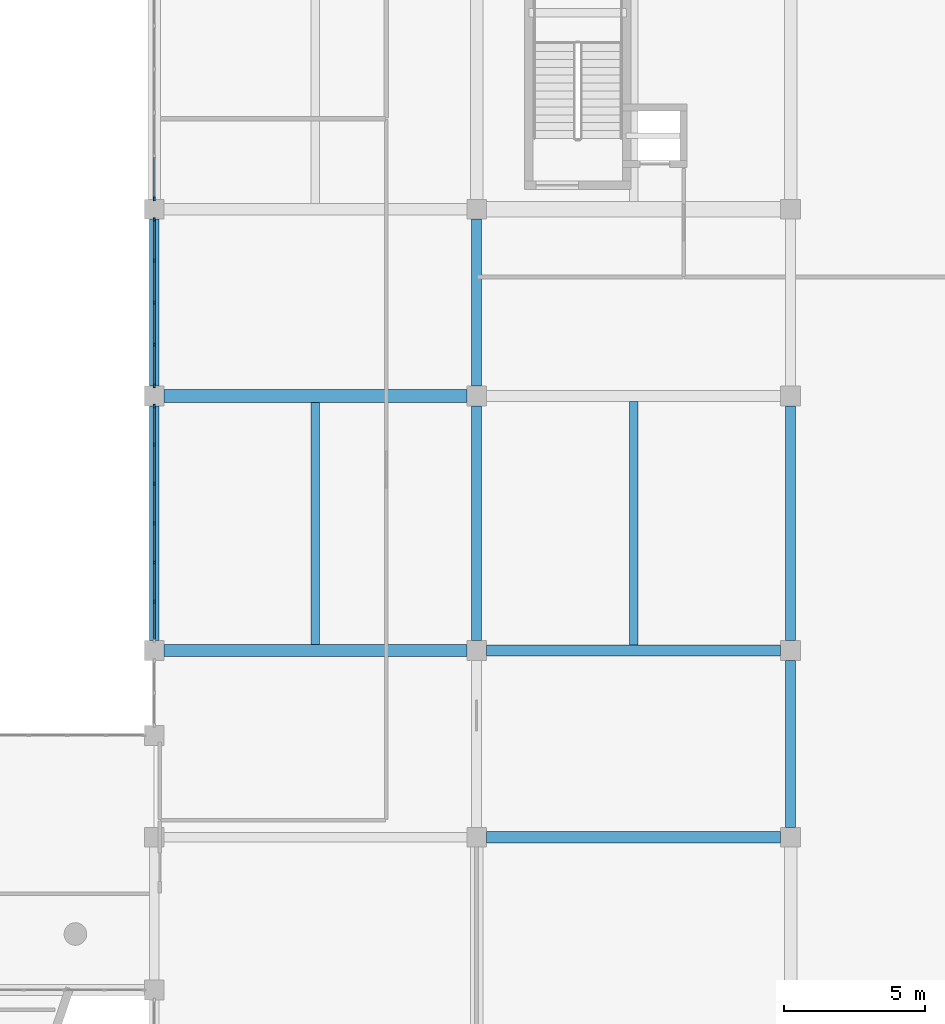
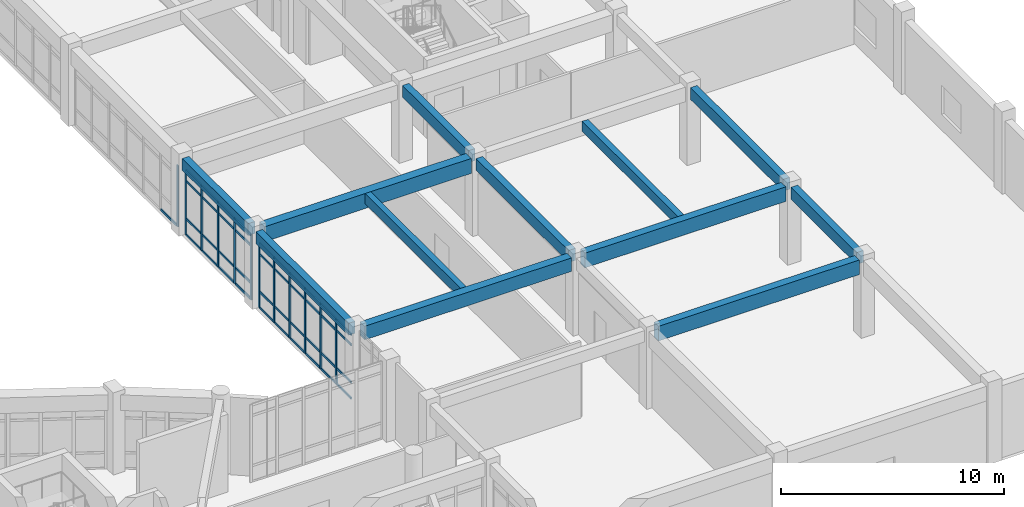
# One storey, part 24 of 57: 53 members, 12 beams, 3 elements without a shape of their own.
"""IFC4 building model written with IfcOpenShell, lengths in metres."""

import ifcopenshell
import ifcopenshell.guid

model = None  # the IFC model being written
_history = None  # IfcOwnerHistory: only IFC2X3 demands one
_inside = {}  # id of a spatial element -> (the spatial element, [elements in it])
_under = {}  # id of a project, library or spatial element -> (it, [spatial elements below it])
_declared = {}  # id of a project -> (the project, [libraries it declares])
_typed = {}  # id of a type object -> (the type object, [elements of that type])
_made_of = {}  # id of a material, layer set ... -> (it, [elements and type objects made of it])


def new_model(schema):
    """Start an empty IFC model of exactly this schema.

    Asked for "IFC4X3", IfcOpenShell would pick the latest addendum, in which some entities
    have other attributes; the version numbers below select the first issue.
    IFC2X3 requires an IfcOwnerHistory on every rooted entity: one is made here for all.
    """
    global model, _history
    if schema == "IFC4X3":
        model = ifcopenshell.file(schema_version=(4, 3, 0, 0))
    else:
        model = ifcopenshell.file(schema=schema)
    _inside.clear()
    _under.clear()
    _declared.clear()
    _typed.clear()
    _made_of.clear()
    _history = None
    if model.schema == "IFC2X3":
        org = make("IfcOrganization", Name="unknown")
        user = make(
            "IfcPersonAndOrganization",
            ThePerson=make("IfcPerson", FamilyName="unknown"),
            TheOrganization=org,
        )
        app = make(
            "IfcApplication",
            ApplicationDeveloper=org,
            Version="unknown",
            ApplicationFullName="unknown",
            ApplicationIdentifier="unknown",
        )
        _history = make(
            "IfcOwnerHistory",
            OwningUser=user,
            OwningApplication=app,
            ChangeAction="ADDED",
            CreationDate=0,
        )
    return model


def make(cls, **values):
    """One entity of the class cls with the attributes given. An attribute that is None is left unset."""
    return model.create_entity(
        cls, **{name: value for name, value in values.items() if value is not None}
    )


def rooted(cls, **values):
    """An entity with a GlobalId (a new one), such as an element, a storey or a relation."""
    return make(cls, GlobalId=ifcopenshell.guid.new(), OwnerHistory=_history, **values)


def si_unit(unit_type, name, prefix=None):
    """IfcSIUnit, for example si_unit("LENGTHUNIT", "METRE", prefix="MILLI")."""
    return make("IfcSIUnit", UnitType=unit_type, Prefix=prefix, Name=name)


def assignment(units):
    """IfcUnitAssignment: the units of a project."""
    return None if units is None else make("IfcUnitAssignment", Units=units)


def point(xyz):
    """IfcCartesianPoint."""
    return None if xyz is None else make("IfcCartesianPoint", Coordinates=xyz)


def direction(xyz):
    """IfcDirection."""
    return None if xyz is None else make("IfcDirection", DirectionRatios=xyz)


def frame(location, z_axis=None, x_axis=None):
    """IfcAxis2Placement3D, a coordinate frame: its origin and axes. An axis left out is left unset."""
    return make(
        "IfcAxis2Placement3D",
        Location=point(location),
        Axis=direction(z_axis),
        RefDirection=direction(x_axis),
    )


def frame_2d(location, x_axis=None):
    """IfcAxis2Placement2D, a coordinate frame in the plane: its origin and x axis."""
    return make(
        "IfcAxis2Placement2D", Location=point(location), RefDirection=direction(x_axis)
    )


def origin():
    """The frame at (0, 0, 0) with its axes left unset."""
    return frame((0.0, 0.0, 0.0))


def origin_2d():
    """The frame at (0, 0) in the plane with its x axis left unset."""
    return frame_2d((0.0, 0.0))


def place(relative_to, where):
    """IfcLocalPlacement: puts the frame where relative to a parent placement (None: the world)."""
    return make(
        "IfcLocalPlacement", PlacementRelTo=relative_to, RelativePlacement=where
    )


def context(
    kind, dimensions, precision=None, world=None, true_north=None, identifier=None
):
    """IfcGeometricRepresentationContext, for example the 3D "Model" context."""
    return make(
        "IfcGeometricRepresentationContext",
        ContextIdentifier=identifier,
        ContextType=kind,
        CoordinateSpaceDimension=dimensions,
        Precision=precision,
        WorldCoordinateSystem=world,
        TrueNorth=true_north,
    )


def subcontext(parent, identifier, kind, view, scale=None):
    """IfcGeometricRepresentationSubContext, for example "Body" below "Model"."""
    return make(
        "IfcGeometricRepresentationSubContext",
        ContextIdentifier=identifier,
        ContextType=kind,
        ParentContext=parent,
        TargetScale=scale,
        TargetView=view,
    )


def project(units=None, contexts=None):
    """IfcProject with its units and contexts."""
    return rooted(
        "IfcProject",
        Name="project",
        RepresentationContexts=contexts,
        UnitsInContext=assignment(units),
    )


def spatial(cls, under=None, at=None, **own):
    """A site, building, storey or space (cls), placed at a placement, below another one or the project."""
    s = rooted(cls, ObjectPlacement=at, **own)
    if under is not None:
        _under.setdefault(under.id(), (under, []))[1].append(s)
    return s


def profile(cls, at=None, kind="AREA", **sizes):
    """A parametric profile (cls). Its sizes go by their IFC names, for example OverallWidth=200.0."""
    return make(cls, ProfileType=kind, Position=at, **sizes)


def rectangle(**sizes):
    """IfcRectangleProfileDef."""
    return profile("IfcRectangleProfileDef", **sizes)


def extrude(swept, where, along, depth):
    """IfcExtrudedAreaSolid: the profile swept, set in the frame where, extruded along a direction by depth."""
    return make(
        "IfcExtrudedAreaSolid",
        SweptArea=swept,
        Position=where,
        ExtrudedDirection=direction(along),
        Depth=depth,
    )


def shape(context_of_items, identifier, shape_type, items):
    """IfcShapeRepresentation: the items that make up one representation, for example the "Body"."""
    return make(
        "IfcShapeRepresentation",
        ContextOfItems=context_of_items,
        RepresentationIdentifier=identifier,
        RepresentationType=shape_type,
        Items=items,
    )


def material(Name=None, Category=None):
    """IfcMaterial."""
    return make("IfcMaterial", Name=Name, Category=Category)


def layer(
    of_material, thickness, ventilated=None, Name=None, Category=None, Priority=None
):
    """IfcMaterialLayer: one layer of a wall or slab, of a material (None: an air gap)."""
    return make(
        "IfcMaterialLayer",
        Material=of_material,
        LayerThickness=thickness,
        IsVentilated=ventilated,
        Name=Name,
        Category=Category,
        Priority=Priority,
    )


def layer_set(layers, Name=None):
    """IfcMaterialLayerSet."""
    return make("IfcMaterialLayerSet", MaterialLayers=layers, LayerSetName=Name)


def material_profile(
    of_material, cross_section, Name=None, Category=None, Priority=None
):
    """IfcMaterialProfile: a cross section and its material."""
    return make(
        "IfcMaterialProfile",
        Name=Name,
        Material=of_material,
        Profile=cross_section,
        Priority=Priority,
        Category=Category,
    )


def profile_set(profiles, Name=None, composite=None):
    """IfcMaterialProfileSet."""
    return make(
        "IfcMaterialProfileSet",
        Name=Name,
        MaterialProfiles=profiles,
        CompositeProfile=composite,
    )


def made_of(thing, what):
    """Note that an element or type object is made of a material, layer set ...; save() writes the relation."""
    if what is not None:
        _made_of.setdefault(what.id(), (what, []))[1].append(thing)
    return thing


def type_object(cls, material=None, **own):
    """A type object (cls), such as IfcWallType, which elements share."""
    return made_of(rooted(cls, **own), material)


def element(
    cls,
    number,
    at=None,
    inside=None,
    cuts=None,
    type_object=None,
    material=None,
    context=None,
    identifier="Body",
    shape_type=None,
    held_by="IfcProductDefinitionShape",
    body=None,
    shapes=None,
    **own,
):
    """One element of the class cls, such as IfcWall. Its Tag is "e" and its number.

    at: its placement. inside: the storey or other place that contains it. cuts: it is an
    opening in that element (IfcRelVoidsElement). A single representation is given by context,
    identifier, shape_type and body (its items); several are given by shapes. held_by: the class
    of the entity that holds the representations. save() writes the other relations.
    """
    e = rooted(cls, Tag="e%d" % number, ObjectPlacement=at, **own)
    if body is not None:
        shapes = [shape(context, identifier, shape_type, body)]
    if shapes is not None:
        e.Representation = make(held_by, Representations=shapes)
    if inside is not None:
        _inside.setdefault(inside.id(), (inside, []))[1].append(e)
    if cuts is not None:
        rooted(
            "IfcRelVoidsElement", RelatingBuildingElement=cuts, RelatedOpeningElement=e
        )
    if type_object is not None:
        _typed.setdefault(type_object.id(), (type_object, []))[1].append(e)
    return made_of(e, material)


def aggregate(whole, parts):
    """IfcRelAggregates: a whole, such as a stair, and the parts it consists of."""
    return rooted("IfcRelAggregates", RelatingObject=whole, RelatedObjects=parts)


def save(model, path):
    """Write the relations noted so far, then the file.

    IfcRelAggregates (storeys below a building ...), IfcRelContainedInSpatialStructure (elements
    in a storey), IfcRelDefinesByType, IfcRelAssociatesMaterial and IfcRelDeclares: one each for
    every whole, place, type object, material and project.
    """
    for whole, parts in _under.values():
        aggregate(whole, parts)
    for where, things in _inside.values():
        rooted(
            "IfcRelContainedInSpatialStructure",
            RelatedElements=things,
            RelatingStructure=where,
        )
    for kind, things in _typed.values():
        rooted("IfcRelDefinesByType", RelatedObjects=things, RelatingType=kind)
    for what, things in _made_of.values():
        rooted("IfcRelAssociatesMaterial", RelatedObjects=things, RelatingMaterial=what)
    for by, libraries in _declared.values():
        rooted("IfcRelDeclares", RelatingContext=by, RelatedDefinitions=libraries)
    model.write(path)


model = new_model("IFC4")

# Units and contexts
model_context = context("Model", 3, precision=1e-05, world=origin(), true_north=direction((0.0, 1.0)))
body_context = subcontext(model_context, "Body", "Model", "MODEL_VIEW")
ifc_project = project(units=[si_unit("LENGTHUNIT", "METRE"), si_unit("AREAUNIT", "SQUARE_METRE"), si_unit("VOLUMEUNIT", "CUBIC_METRE"), si_unit("PLANEANGLEUNIT", "RADIAN"), si_unit("MASSUNIT", "GRAM", prefix="KILO")], contexts=[model_context])

# Site, building, storey
site_placement = place(None, origin())
site = spatial("IfcSite", under=ifc_project, at=site_placement, CompositionType="ELEMENT")
building_placement = place(site_placement, origin())
building = spatial("IfcBuilding", under=site, at=building_placement, Name="Miralva Faculty of Natural Sciences", CompositionType="ELEMENT")
storey_placement = place(building_placement, frame((0.0, 0.0, 15.0)))
storey = spatial("IfcBuildingStorey", under=building, at=storey_placement, Name="L03", CompositionType="ELEMENT", Elevation=15.0)

# Beams
ifc_material_1 = material(Name="Concrete C40/50", Category="concrete")
ifc_material_profile_1 = material_profile(ifc_material_1, rectangle(XDim=0.39990234375, YDim=0.800048828125, at=origin_2d()), Name="RC 400x800")
ifc_profile_set_1 = profile_set([ifc_material_profile_1], Name="Concrete C40/50")
beam_type_1 = type_object("IfcBeamType", Name="BM-B02", PredefinedType="BEAM", material=ifc_profile_set_1)
for number, where, z_axis, x_axis, name in (
    (1, (145.550048828125, 23.39990234375, 3.81005859375), (1.0, 0.0, 0.0), (0.0, 1.0, 0.0), "Girder EW L03-22"),
    (2, (145.550048828125, 30.0, 3.81005859375), (1.0, 0.0, 0.0), (0.0, 1.0, 0.0), "Girder EW L03-30"),
):
    element("IfcBeam", number, at=place(storey_placement, frame(where, z_axis=z_axis, x_axis=x_axis)), inside=storey, type_object=beam_type_1, Name=name, PredefinedType="BEAM", context=body_context, shape_type="SweptSolid", body=[
        extrude(rectangle(XDim=0.39990234375, YDim=0.800048828125, at=origin_2d()), origin(), (0.0, 0.0, 1.0), 10.39990234375),
    ])
ifc_material_profile_2 = material_profile(ifc_material_1, rectangle(XDim=0.35009765625, YDim=0.64990234375, at=origin_2d()), Name="RC 350x650")
ifc_profile_set_2 = profile_set([ifc_material_profile_2], Name="Concrete C40/50")
beam_type_2 = type_object("IfcBeamType", Name="BM-B05", PredefinedType="BEAM", material=ifc_profile_set_2)
beam_1_placement = place(storey_placement, frame((133.800048828125, 30.35009765625, 3.885009765625), z_axis=(0.0, 1.0, 0.0), x_axis=(-1.0, 0.0, 0.0)))
element("IfcBeam", 3, at=beam_1_placement, inside=storey, type_object=beam_type_2, Name="Girder NS L03-114", PredefinedType="BEAM", context=body_context, shape_type="SweptSolid", body=[
    extrude(rectangle(XDim=0.35009765625, YDim=0.64990234375, at=origin_2d()), origin(), (0.0, 0.0, 1.0), 8.2998046875),
])
beam_2_placement = place(storey_placement, frame((133.800048828125, 39.35009765625, 3.885009765625), z_axis=(0.0, 1.0, 0.0), x_axis=(-1.0, 0.0, 0.0)))
element("IfcBeam", 4, at=beam_2_placement, inside=storey, type_object=beam_type_2, Name="Girder NS L03-115", PredefinedType="BEAM", context=body_context, shape_type="SweptSolid", body=[
    extrude(rectangle(XDim=0.35009765625, YDim=0.64990234375, at=origin_2d()), origin(), (0.0, 0.0, 1.0), 5.89990234375),
])
beam_3_placement = place(storey_placement, frame((145.199951171875, 30.35009765625, 3.885009765625), z_axis=(0.0, 1.0, 0.0), x_axis=(-1.0, 0.0, 0.0)))
element("IfcBeam", 5, at=beam_3_placement, inside=storey, type_object=beam_type_2, Name="Girder NS L03-121", PredefinedType="BEAM", context=body_context, shape_type="SweptSolid", body=[
    extrude(rectangle(XDim=0.35009765625, YDim=0.64990234375, at=origin_2d()), origin(), (0.0, 0.0, 1.0), 8.2998046875),
])
for number, where, z_axis, x_axis, name in (
    (6, (145.199951171875, 39.35009765625, 3.885009765625), (0.0, 1.0, 0.0), (-1.0, 0.0, 0.0), "Girder NS L03-122"),
    (7, (156.300048828125, 23.75, 3.885009765625), (0.0, 1.0, 0.0), (-1.0, 0.0, 0.0), "Girder NS L03-127"),
):
    element("IfcBeam", number, at=place(storey_placement, frame(where, z_axis=z_axis, x_axis=x_axis)), inside=storey, type_object=beam_type_2, Name=name, PredefinedType="BEAM", context=body_context, shape_type="SweptSolid", body=[
        extrude(rectangle(XDim=0.35009765625, YDim=0.64990234375, at=origin_2d()), origin(), (0.0, 0.0, 1.0), 5.89990234375),
    ])
beam_4_placement = place(storey_placement, frame((156.300048828125, 30.35009765625, 3.885009765625), z_axis=(0.0, 1.0, 0.0), x_axis=(-1.0, 0.0, 0.0)))
element("IfcBeam", 8, at=beam_4_placement, inside=storey, type_object=beam_type_2, Name="Girder NS L03-128", PredefinedType="BEAM", context=body_context, shape_type="SweptSolid", body=[
    extrude(rectangle(XDim=0.35009765625, YDim=0.64990234375, at=origin_2d()), origin(), (0.0, 0.0, 1.0), 8.2998046875),
])
ifc_material_profile_3 = material_profile(ifc_material_1, rectangle(XDim=0.419921875, YDim=0.739990234375, at=origin_2d()), Name="RC 420x740")
ifc_profile_set_3 = profile_set([ifc_material_profile_3], Name="Concrete C40/50")
beam_type_3 = type_object("IfcBeamType", Name="BM-BG11", PredefinedType="BEAM", material=ifc_profile_set_3)
beam_5_placement = place(storey_placement, frame((134.14990234375, 30.0, 3.840087890625), z_axis=(1.0, 0.0, 0.0), x_axis=(0.0, 1.0, 0.0)))
element("IfcBeam", 9, at=beam_5_placement, inside=storey, type_object=beam_type_3, Name="Girder EW L03-29", PredefinedType="BEAM", context=body_context, shape_type="SweptSolid", body=[
    extrude(rectangle(XDim=0.419921875, YDim=0.739990234375, at=origin_2d()), origin(), (0.0, 0.0, 1.0), 10.7001953125),
])
ifc_material_profile_4 = material_profile(ifc_material_1, rectangle(XDim=0.4599609375, YDim=0.820068359375, at=origin_2d()), Name="RC 460x820")
ifc_profile_set_4 = profile_set([ifc_material_profile_4], Name="Concrete C40/50")
beam_type_4 = type_object("IfcBeamType", Name="BM-BG15", PredefinedType="BEAM", material=ifc_profile_set_4)
beam_6_placement = place(storey_placement, frame((134.14990234375, 39.0, 3.800048828125), z_axis=(1.0, 0.0, 0.0), x_axis=(0.0, 1.0, 0.0)))
element("IfcBeam", 10, at=beam_6_placement, inside=storey, type_object=beam_type_4, Name="Girder EW L03-33", PredefinedType="BEAM", context=body_context, shape_type="SweptSolid", body=[
    extrude(rectangle(XDim=0.4599609375, YDim=0.820068359375, at=origin_2d()), origin(), (0.0, 0.0, 1.0), 10.7001953125),
])
ifc_material_profile_5 = material_profile(ifc_material_1, rectangle(XDim=0.300048828125, YDim=0.550048828125, at=origin_2d()), Name="RC 300x550")
ifc_profile_set_5 = profile_set([ifc_material_profile_5], Name="Concrete C40/50")
beam_type_5 = type_object("IfcBeamType", Name="BM-J02", PredefinedType="JOIST", material=ifc_profile_set_5)
beam_7_placement = place(storey_placement, frame((139.5, 30.2099609375, 3.93505859375), z_axis=(0.0, 1.0, 0.0), x_axis=(-1.0, 0.0, 0.0)))
element("IfcBeam", 11, at=beam_7_placement, inside=storey, type_object=beam_type_5, Name="Floor joist L03-9", PredefinedType="JOIST", context=body_context, shape_type="SweptSolid", body=[
    extrude(rectangle(XDim=0.300048828125, YDim=0.550048828125, at=origin_2d()), origin(), (0.0, 0.0, 1.0), 8.56005859375),
])
beam_8_placement = place(storey_placement, frame((150.75, 30.199951171875, 3.93505859375), z_axis=(0.0, 1.0, 0.0), x_axis=(-1.0, 0.0, 0.0)))
element("IfcBeam", 12, at=beam_8_placement, inside=storey, type_object=beam_type_5, Name="Floor joist L03-10", PredefinedType="JOIST", context=body_context, shape_type="SweptSolid", body=[
    extrude(rectangle(XDim=0.300048828125, YDim=0.550048828125, at=origin_2d()), origin(), (0.0, 0.0, 1.0), 8.60009765625),
])

# Curtain wall, members
ifc_material_2 = material(Name="Laminated solar-control glass", Category="glass")
ifc_layer = layer(ifc_material_2, 0.179931640625, Name="CW-COM-L03")
ifc_layer_set = layer_set([ifc_layer], Name="Laminated solar-control glass")
curtain_wall_type = type_object("IfcCurtainWallType", Name="CW-COM-L03", PredefinedType="USERDEFINED", material=ifc_layer_set)
curtain_wall_1_placement = place(storey_placement, origin())
curtain_wall_1 = element("IfcCurtainWall", 13, at=curtain_wall_1_placement, inside=storey, type_object=curtain_wall_type, Name="Curtain wall CW-11 L03-277", ObjectType="UNITISED CURTAIN WALL", PredefinedType="USERDEFINED")
ifc_material_3 = material(Name="Anodised aluminium", Category="aluminium")
ifc_material_profile_6 = material_profile(ifc_material_3, rectangle(XDim=0.06005859375, YDim=0.139892578125, at=origin_2d()), Name="MULLION 60x140")
ifc_profile_set_6 = profile_set([ifc_material_profile_6], Name="Anodised aluminium")
member_type_1 = type_object("IfcMemberType", Name="CW-M03", PredefinedType="MULLION", material=ifc_profile_set_6)
member_1_placement = place(storey_placement, frame((133.800048828125, 31.723388671875, 0.0), z_axis=(0.0, 0.0, 1.0), x_axis=(-1.0, 0.0, 0.0)))
member_1 = element("IfcMember", 14, at=member_1_placement, type_object=member_type_1, Name="CW-11 mullion 2", PredefinedType="MULLION", context=body_context, shape_type="SweptSolid", body=[
    extrude(rectangle(XDim=0.06005859375, YDim=0.139892578125, at=origin_2d()), origin(), (0.0, 0.0, 1.0), 3.554931640625),
])
member_2_placement = place(storey_placement, frame((133.800048828125, 33.111572265625, 0.0), z_axis=(0.0, 0.0, 1.0), x_axis=(-1.0, 0.0, 0.0)))
member_2 = element("IfcMember", 15, at=member_2_placement, type_object=member_type_1, Name="CW-11 mullion 3", PredefinedType="MULLION", context=body_context, shape_type="SweptSolid", body=[
    extrude(rectangle(XDim=0.06005859375, YDim=0.139892578125, at=origin_2d()), origin(), (0.0, 0.0, 1.0), 3.554931640625),
])
member_3_placement = place(storey_placement, frame((133.800048828125, 34.5, 0.0), z_axis=(0.0, 0.0, 1.0), x_axis=(-1.0, 0.0, 0.0)))
member_3 = element("IfcMember", 16, at=member_3_placement, type_object=member_type_1, Name="CW-11 mullion 4", PredefinedType="MULLION", context=body_context, shape_type="SweptSolid", body=[
    extrude(rectangle(XDim=0.06005859375, YDim=0.139892578125, at=origin_2d()), origin(), (0.0, 0.0, 1.0), 3.554931640625),
])
member_4_placement = place(storey_placement, frame((133.800048828125, 35.888427734375, 0.0), z_axis=(0.0, 0.0, 1.0), x_axis=(-1.0, 0.0, 0.0)))
member_4 = element("IfcMember", 17, at=member_4_placement, type_object=member_type_1, Name="CW-11 mullion 5", PredefinedType="MULLION", context=body_context, shape_type="SweptSolid", body=[
    extrude(rectangle(XDim=0.06005859375, YDim=0.139892578125, at=origin_2d()), origin(), (0.0, 0.0, 1.0), 3.554931640625),
])
member_5_placement = place(storey_placement, frame((133.800048828125, 37.276611328125, 0.0), z_axis=(0.0, 0.0, 1.0), x_axis=(-1.0, 0.0, 0.0)))
member_5 = element("IfcMember", 18, at=member_5_placement, type_object=member_type_1, Name="CW-11 mullion 6", PredefinedType="MULLION", context=body_context, shape_type="SweptSolid", body=[
    extrude(rectangle(XDim=0.06005859375, YDim=0.139892578125, at=origin_2d()), origin(), (0.0, 0.0, 1.0), 3.554931640625),
])
member_6_placement = place(storey_placement, frame((133.800048828125, 38.635009765625, 0.0), z_axis=(0.0, 0.0, 1.0), x_axis=(-1.0, 0.0, 0.0)))
member_6 = element("IfcMember", 19, at=member_6_placement, type_object=member_type_1, Name="CW-11 mullion 7", PredefinedType="MULLION", context=body_context, shape_type="SweptSolid", body=[
    extrude(rectangle(XDim=0.06005859375, YDim=0.139892578125, at=origin_2d()), origin(), (0.0, 0.0, 1.0), 3.554931640625),
])

curtain_wall_2_placement = place(storey_placement, origin())
curtain_wall_2 = element("IfcCurtainWall", 20, at=curtain_wall_2_placement, inside=storey, type_object=curtain_wall_type, Name="Curtain wall CW-11 L03-278", ObjectType="UNITISED CURTAIN WALL", PredefinedType="USERDEFINED")
member_7_placement = place(storey_placement, frame((133.800048828125, 39.364990234375, 0.0), z_axis=(0.0, 0.0, 1.0), x_axis=(-1.0, 0.0, 0.0)))
member_7 = element("IfcMember", 21, at=member_7_placement, type_object=member_type_1, Name="CW-11 mullion 1", PredefinedType="MULLION", context=body_context, shape_type="SweptSolid", body=[
    extrude(rectangle(XDim=0.06005859375, YDim=0.139892578125, at=origin_2d()), origin(), (0.0, 0.0, 1.0), 3.554931640625),
])
member_8_placement = place(storey_placement, frame((133.800048828125, 40.8173828125, 0.0), z_axis=(0.0, 0.0, 1.0), x_axis=(-1.0, 0.0, 0.0)))
member_8 = element("IfcMember", 22, at=member_8_placement, type_object=member_type_1, Name="CW-11 mullion 2", PredefinedType="MULLION", context=body_context, shape_type="SweptSolid", body=[
    extrude(rectangle(XDim=0.06005859375, YDim=0.139892578125, at=origin_2d()), origin(), (0.0, 0.0, 1.0), 3.554931640625),
])
member_9_placement = place(storey_placement, frame((133.800048828125, 42.300048828125, 0.0), z_axis=(0.0, 0.0, 1.0), x_axis=(-1.0, 0.0, 0.0)))
member_9 = element("IfcMember", 23, at=member_9_placement, type_object=member_type_1, Name="CW-11 mullion 3", PredefinedType="MULLION", context=body_context, shape_type="SweptSolid", body=[
    extrude(rectangle(XDim=0.06005859375, YDim=0.139892578125, at=origin_2d()), origin(), (0.0, 0.0, 1.0), 3.554931640625),
])
member_10_placement = place(storey_placement, frame((133.800048828125, 43.782470703125, 0.0), z_axis=(0.0, 0.0, 1.0), x_axis=(-1.0, 0.0, 0.0)))
member_10 = element("IfcMember", 24, at=member_10_placement, type_object=member_type_1, Name="CW-11 mullion 4", PredefinedType="MULLION", context=body_context, shape_type="SweptSolid", body=[
    extrude(rectangle(XDim=0.06005859375, YDim=0.139892578125, at=origin_2d()), origin(), (0.0, 0.0, 1.0), 3.554931640625),
])
member_11_placement = place(storey_placement, frame((133.800048828125, 45.235107421875, 0.0), z_axis=(0.0, 0.0, 1.0), x_axis=(-1.0, 0.0, 0.0)))
member_11 = element("IfcMember", 25, at=member_11_placement, type_object=member_type_1, Name="CW-11 mullion 5", PredefinedType="MULLION", context=body_context, shape_type="SweptSolid", body=[
    extrude(rectangle(XDim=0.06005859375, YDim=0.139892578125, at=origin_2d()), origin(), (0.0, 0.0, 1.0), 3.554931640625),
])

# Curtain wall, member
curtain_wall_3_placement = place(storey_placement, origin())
curtain_wall_3 = element("IfcCurtainWall", 26, at=curtain_wall_3_placement, inside=storey, type_object=curtain_wall_type, Name="Curtain wall CW-11 L03-279", ObjectType="UNITISED CURTAIN WALL", PredefinedType="USERDEFINED")
member_12_placement = place(storey_placement, frame((133.800048828125, 45.965087890625, 0.0), z_axis=(0.0, 0.0, 1.0), x_axis=(-1.0, 0.0, 0.0)))
member_12 = element("IfcMember", 27, at=member_12_placement, type_object=member_type_1, Name="CW-11 mullion 1", PredefinedType="MULLION", context=body_context, shape_type="SweptSolid", body=[
    extrude(rectangle(XDim=0.06005859375, YDim=0.139892578125, at=origin_2d()), origin(), (0.0, 0.0, 1.0), 3.35498046875),
])

# Member
ifc_material_profile_7 = material_profile(ifc_material_3, rectangle(XDim=0.06005859375, YDim=0.1201171875, at=origin_2d()), Name="TRANSOM 60x120")
ifc_profile_set_7 = profile_set([ifc_material_profile_7], Name="Anodised aluminium")
member_type_2 = type_object("IfcMemberType", Name="CW-T02", PredefinedType="USERDEFINED", material=ifc_profile_set_7)
member_13_placement = place(storey_placement, frame((133.800048828125, 30.39501953125, 0.030029296875), z_axis=(0.0, 1.0, 0.0), x_axis=(-1.0, 0.0, 0.0)))
member_13 = element("IfcMember", 28, at=member_13_placement, type_object=member_type_2, Name="CW-11 transom 1.1", ObjectType="TRANSOM", PredefinedType="USERDEFINED", context=body_context, shape_type="SweptSolid", body=[
    extrude(rectangle(XDim=0.06005859375, YDim=0.1201171875, at=origin_2d()), origin(), (0.0, 0.0, 1.0), 1.29833984375),
])

member_14_placement = place(storey_placement, frame((133.800048828125, 30.39501953125, 0.89990234375), z_axis=(0.0, 1.0, 0.0), x_axis=(-1.0, 0.0, 0.0)))
member_14 = element("IfcMember", 29, at=member_14_placement, type_object=member_type_2, Name="CW-11 transom 1.2", ObjectType="TRANSOM", PredefinedType="USERDEFINED", context=body_context, shape_type="SweptSolid", body=[
    extrude(rectangle(XDim=0.06005859375, YDim=0.1201171875, at=origin_2d()), origin(), (0.0, 0.0, 1.0), 1.29833984375),
])

member_15_placement = place(storey_placement, frame((133.800048828125, 30.39501953125, 2.955078125), z_axis=(0.0, 1.0, 0.0), x_axis=(-1.0, 0.0, 0.0)))
member_15 = element("IfcMember", 30, at=member_15_placement, type_object=member_type_2, Name="CW-11 transom 1.3", ObjectType="TRANSOM", PredefinedType="USERDEFINED", context=body_context, shape_type="SweptSolid", body=[
    extrude(rectangle(XDim=0.06005859375, YDim=0.1201171875, at=origin_2d()), origin(), (0.0, 0.0, 1.0), 1.29833984375),
])

member_16_placement = place(storey_placement, frame((133.800048828125, 30.39501953125, 3.52490234375), z_axis=(0.0, 1.0, 0.0), x_axis=(-1.0, 0.0, 0.0)))
member_16 = element("IfcMember", 31, at=member_16_placement, type_object=member_type_2, Name="CW-11 transom 1.4", ObjectType="TRANSOM", PredefinedType="USERDEFINED", context=body_context, shape_type="SweptSolid", body=[
    extrude(rectangle(XDim=0.06005859375, YDim=0.1201171875, at=origin_2d()), origin(), (0.0, 0.0, 1.0), 1.29833984375),
])

member_17_placement = place(storey_placement, frame((133.800048828125, 31.75341796875, 0.030029296875), z_axis=(0.0, 1.0, 0.0), x_axis=(-1.0, 0.0, 0.0)))
member_17 = element("IfcMember", 32, at=member_17_placement, type_object=member_type_2, Name="CW-11 transom 2.1", ObjectType="TRANSOM", PredefinedType="USERDEFINED", context=body_context, shape_type="SweptSolid", body=[
    extrude(rectangle(XDim=0.06005859375, YDim=0.1201171875, at=origin_2d()), origin(), (0.0, 0.0, 1.0), 1.328369140625),
])

member_18_placement = place(storey_placement, frame((133.800048828125, 31.75341796875, 0.89990234375), z_axis=(0.0, 1.0, 0.0), x_axis=(-1.0, 0.0, 0.0)))
member_18 = element("IfcMember", 33, at=member_18_placement, type_object=member_type_2, Name="CW-11 transom 2.2", ObjectType="TRANSOM", PredefinedType="USERDEFINED", context=body_context, shape_type="SweptSolid", body=[
    extrude(rectangle(XDim=0.06005859375, YDim=0.1201171875, at=origin_2d()), origin(), (0.0, 0.0, 1.0), 1.328369140625),
])

member_19_placement = place(storey_placement, frame((133.800048828125, 31.75341796875, 2.955078125), z_axis=(0.0, 1.0, 0.0), x_axis=(-1.0, 0.0, 0.0)))
member_19 = element("IfcMember", 34, at=member_19_placement, type_object=member_type_2, Name="CW-11 transom 2.3", ObjectType="TRANSOM", PredefinedType="USERDEFINED", context=body_context, shape_type="SweptSolid", body=[
    extrude(rectangle(XDim=0.06005859375, YDim=0.1201171875, at=origin_2d()), origin(), (0.0, 0.0, 1.0), 1.328369140625),
])

member_20_placement = place(storey_placement, frame((133.800048828125, 31.75341796875, 3.52490234375), z_axis=(0.0, 1.0, 0.0), x_axis=(-1.0, 0.0, 0.0)))
member_20 = element("IfcMember", 35, at=member_20_placement, type_object=member_type_2, Name="CW-11 transom 2.4", ObjectType="TRANSOM", PredefinedType="USERDEFINED", context=body_context, shape_type="SweptSolid", body=[
    extrude(rectangle(XDim=0.06005859375, YDim=0.1201171875, at=origin_2d()), origin(), (0.0, 0.0, 1.0), 1.328369140625),
])

member_21_placement = place(storey_placement, frame((133.800048828125, 33.1416015625, 0.030029296875), z_axis=(0.0, 1.0, 0.0), x_axis=(-1.0, 0.0, 0.0)))
member_21 = element("IfcMember", 36, at=member_21_placement, type_object=member_type_2, Name="CW-11 transom 3.1", ObjectType="TRANSOM", PredefinedType="USERDEFINED", context=body_context, shape_type="SweptSolid", body=[
    extrude(rectangle(XDim=0.06005859375, YDim=0.1201171875, at=origin_2d()), origin(), (0.0, 0.0, 1.0), 1.328369140625),
])

member_22_placement = place(storey_placement, frame((133.800048828125, 33.1416015625, 0.89990234375), z_axis=(0.0, 1.0, 0.0), x_axis=(-1.0, 0.0, 0.0)))
member_22 = element("IfcMember", 37, at=member_22_placement, type_object=member_type_2, Name="CW-11 transom 3.2", ObjectType="TRANSOM", PredefinedType="USERDEFINED", context=body_context, shape_type="SweptSolid", body=[
    extrude(rectangle(XDim=0.06005859375, YDim=0.1201171875, at=origin_2d()), origin(), (0.0, 0.0, 1.0), 1.328369140625),
])

member_23_placement = place(storey_placement, frame((133.800048828125, 33.1416015625, 2.955078125), z_axis=(0.0, 1.0, 0.0), x_axis=(-1.0, 0.0, 0.0)))
member_23 = element("IfcMember", 38, at=member_23_placement, type_object=member_type_2, Name="CW-11 transom 3.3", ObjectType="TRANSOM", PredefinedType="USERDEFINED", context=body_context, shape_type="SweptSolid", body=[
    extrude(rectangle(XDim=0.06005859375, YDim=0.1201171875, at=origin_2d()), origin(), (0.0, 0.0, 1.0), 1.328369140625),
])

member_24_placement = place(storey_placement, frame((133.800048828125, 33.1416015625, 3.52490234375), z_axis=(0.0, 1.0, 0.0), x_axis=(-1.0, 0.0, 0.0)))
member_24 = element("IfcMember", 39, at=member_24_placement, type_object=member_type_2, Name="CW-11 transom 3.4", ObjectType="TRANSOM", PredefinedType="USERDEFINED", context=body_context, shape_type="SweptSolid", body=[
    extrude(rectangle(XDim=0.06005859375, YDim=0.1201171875, at=origin_2d()), origin(), (0.0, 0.0, 1.0), 1.328369140625),
])

member_25_placement = place(storey_placement, frame((133.800048828125, 34.530029296875, 0.030029296875), z_axis=(0.0, 1.0, 0.0), x_axis=(-1.0, 0.0, 0.0)))
member_25 = element("IfcMember", 40, at=member_25_placement, type_object=member_type_2, Name="CW-11 transom 4.1", ObjectType="TRANSOM", PredefinedType="USERDEFINED", context=body_context, shape_type="SweptSolid", body=[
    extrude(rectangle(XDim=0.06005859375, YDim=0.1201171875, at=origin_2d()), origin(), (0.0, 0.0, 1.0), 1.328369140625),
])

member_26_placement = place(storey_placement, frame((133.800048828125, 34.530029296875, 0.89990234375), z_axis=(0.0, 1.0, 0.0), x_axis=(-1.0, 0.0, 0.0)))
member_26 = element("IfcMember", 41, at=member_26_placement, type_object=member_type_2, Name="CW-11 transom 4.2", ObjectType="TRANSOM", PredefinedType="USERDEFINED", context=body_context, shape_type="SweptSolid", body=[
    extrude(rectangle(XDim=0.06005859375, YDim=0.1201171875, at=origin_2d()), origin(), (0.0, 0.0, 1.0), 1.328369140625),
])

member_27_placement = place(storey_placement, frame((133.800048828125, 34.530029296875, 2.955078125), z_axis=(0.0, 1.0, 0.0), x_axis=(-1.0, 0.0, 0.0)))
member_27 = element("IfcMember", 42, at=member_27_placement, type_object=member_type_2, Name="CW-11 transom 4.3", ObjectType="TRANSOM", PredefinedType="USERDEFINED", context=body_context, shape_type="SweptSolid", body=[
    extrude(rectangle(XDim=0.06005859375, YDim=0.1201171875, at=origin_2d()), origin(), (0.0, 0.0, 1.0), 1.328369140625),
])

member_28_placement = place(storey_placement, frame((133.800048828125, 34.530029296875, 3.52490234375), z_axis=(0.0, 1.0, 0.0), x_axis=(-1.0, 0.0, 0.0)))
member_28 = element("IfcMember", 43, at=member_28_placement, type_object=member_type_2, Name="CW-11 transom 4.4", ObjectType="TRANSOM", PredefinedType="USERDEFINED", context=body_context, shape_type="SweptSolid", body=[
    extrude(rectangle(XDim=0.06005859375, YDim=0.1201171875, at=origin_2d()), origin(), (0.0, 0.0, 1.0), 1.328369140625),
])

member_29_placement = place(storey_placement, frame((133.800048828125, 35.918212890625, 0.030029296875), z_axis=(0.0, 1.0, 0.0), x_axis=(-1.0, 0.0, 0.0)))
member_29 = element("IfcMember", 44, at=member_29_placement, type_object=member_type_2, Name="CW-11 transom 5.1", ObjectType="TRANSOM", PredefinedType="USERDEFINED", context=body_context, shape_type="SweptSolid", body=[
    extrude(rectangle(XDim=0.06005859375, YDim=0.1201171875, at=origin_2d()), origin(), (0.0, 0.0, 1.0), 1.328369140625),
])

member_30_placement = place(storey_placement, frame((133.800048828125, 35.918212890625, 0.89990234375), z_axis=(0.0, 1.0, 0.0), x_axis=(-1.0, 0.0, 0.0)))
member_30 = element("IfcMember", 45, at=member_30_placement, type_object=member_type_2, Name="CW-11 transom 5.2", ObjectType="TRANSOM", PredefinedType="USERDEFINED", context=body_context, shape_type="SweptSolid", body=[
    extrude(rectangle(XDim=0.06005859375, YDim=0.1201171875, at=origin_2d()), origin(), (0.0, 0.0, 1.0), 1.328369140625),
])

member_31_placement = place(storey_placement, frame((133.800048828125, 35.918212890625, 2.955078125), z_axis=(0.0, 1.0, 0.0), x_axis=(-1.0, 0.0, 0.0)))
member_31 = element("IfcMember", 46, at=member_31_placement, type_object=member_type_2, Name="CW-11 transom 5.3", ObjectType="TRANSOM", PredefinedType="USERDEFINED", context=body_context, shape_type="SweptSolid", body=[
    extrude(rectangle(XDim=0.06005859375, YDim=0.1201171875, at=origin_2d()), origin(), (0.0, 0.0, 1.0), 1.328369140625),
])

member_32_placement = place(storey_placement, frame((133.800048828125, 35.918212890625, 3.52490234375), z_axis=(0.0, 1.0, 0.0), x_axis=(-1.0, 0.0, 0.0)))
member_32 = element("IfcMember", 47, at=member_32_placement, type_object=member_type_2, Name="CW-11 transom 5.4", ObjectType="TRANSOM", PredefinedType="USERDEFINED", context=body_context, shape_type="SweptSolid", body=[
    extrude(rectangle(XDim=0.06005859375, YDim=0.1201171875, at=origin_2d()), origin(), (0.0, 0.0, 1.0), 1.328369140625),
])

member_33_placement = place(storey_placement, frame((133.800048828125, 37.306640625, 0.030029296875), z_axis=(0.0, 1.0, 0.0), x_axis=(-1.0, 0.0, 0.0)))
member_33 = element("IfcMember", 48, at=member_33_placement, type_object=member_type_2, Name="CW-11 transom 6.1", ObjectType="TRANSOM", PredefinedType="USERDEFINED", context=body_context, shape_type="SweptSolid", body=[
    extrude(rectangle(XDim=0.06005859375, YDim=0.1201171875, at=origin_2d()), origin(), (0.0, 0.0, 1.0), 1.29833984375),
])

member_34_placement = place(storey_placement, frame((133.800048828125, 37.306640625, 0.89990234375), z_axis=(0.0, 1.0, 0.0), x_axis=(-1.0, 0.0, 0.0)))
member_34 = element("IfcMember", 49, at=member_34_placement, type_object=member_type_2, Name="CW-11 transom 6.2", ObjectType="TRANSOM", PredefinedType="USERDEFINED", context=body_context, shape_type="SweptSolid", body=[
    extrude(rectangle(XDim=0.06005859375, YDim=0.1201171875, at=origin_2d()), origin(), (0.0, 0.0, 1.0), 1.29833984375),
])

member_35_placement = place(storey_placement, frame((133.800048828125, 37.306640625, 2.955078125), z_axis=(0.0, 1.0, 0.0), x_axis=(-1.0, 0.0, 0.0)))
member_35 = element("IfcMember", 50, at=member_35_placement, type_object=member_type_2, Name="CW-11 transom 6.3", ObjectType="TRANSOM", PredefinedType="USERDEFINED", context=body_context, shape_type="SweptSolid", body=[
    extrude(rectangle(XDim=0.06005859375, YDim=0.1201171875, at=origin_2d()), origin(), (0.0, 0.0, 1.0), 1.29833984375),
])

member_36_placement = place(storey_placement, frame((133.800048828125, 37.306640625, 3.52490234375), z_axis=(0.0, 1.0, 0.0), x_axis=(-1.0, 0.0, 0.0)))
member_36 = element("IfcMember", 51, at=member_36_placement, type_object=member_type_2, Name="CW-11 transom 6.4", ObjectType="TRANSOM", PredefinedType="USERDEFINED", context=body_context, shape_type="SweptSolid", body=[
    extrude(rectangle(XDim=0.06005859375, YDim=0.1201171875, at=origin_2d()), origin(), (0.0, 0.0, 1.0), 1.29833984375),
])

aggregate(curtain_wall_1, [member_1, member_2, member_3, member_4, member_5, member_6, member_13, member_14, member_15, member_16, member_17, member_18, member_19, member_20, member_21, member_22, member_23, member_24, member_25, member_26, member_27, member_28, member_29, member_30, member_31, member_32, member_33, member_34, member_35, member_36])

member_37_placement = place(storey_placement, frame((133.800048828125, 39.39501953125, 0.030029296875), z_axis=(0.0, 1.0, 0.0), x_axis=(-1.0, 0.0, 0.0)))
member_37 = element("IfcMember", 52, at=member_37_placement, type_object=member_type_2, Name="CW-11 transom 1.1", ObjectType="TRANSOM", PredefinedType="USERDEFINED", context=body_context, shape_type="SweptSolid", body=[
    extrude(rectangle(XDim=0.06005859375, YDim=0.1201171875, at=origin_2d()), origin(), (0.0, 0.0, 1.0), 1.392578125),
])

member_38_placement = place(storey_placement, frame((133.800048828125, 39.39501953125, 0.89990234375), z_axis=(0.0, 1.0, 0.0), x_axis=(-1.0, 0.0, 0.0)))
member_38 = element("IfcMember", 53, at=member_38_placement, type_object=member_type_2, Name="CW-11 transom 1.2", ObjectType="TRANSOM", PredefinedType="USERDEFINED", context=body_context, shape_type="SweptSolid", body=[
    extrude(rectangle(XDim=0.06005859375, YDim=0.1201171875, at=origin_2d()), origin(), (0.0, 0.0, 1.0), 1.392578125),
])

member_39_placement = place(storey_placement, frame((133.800048828125, 39.39501953125, 2.955078125), z_axis=(0.0, 1.0, 0.0), x_axis=(-1.0, 0.0, 0.0)))
member_39 = element("IfcMember", 54, at=member_39_placement, type_object=member_type_2, Name="CW-11 transom 1.3", ObjectType="TRANSOM", PredefinedType="USERDEFINED", context=body_context, shape_type="SweptSolid", body=[
    extrude(rectangle(XDim=0.06005859375, YDim=0.1201171875, at=origin_2d()), origin(), (0.0, 0.0, 1.0), 1.392578125),
])

member_40_placement = place(storey_placement, frame((133.800048828125, 39.39501953125, 3.52490234375), z_axis=(0.0, 1.0, 0.0), x_axis=(-1.0, 0.0, 0.0)))
member_40 = element("IfcMember", 55, at=member_40_placement, type_object=member_type_2, Name="CW-11 transom 1.4", ObjectType="TRANSOM", PredefinedType="USERDEFINED", context=body_context, shape_type="SweptSolid", body=[
    extrude(rectangle(XDim=0.06005859375, YDim=0.1201171875, at=origin_2d()), origin(), (0.0, 0.0, 1.0), 1.392578125),
])

member_41_placement = place(storey_placement, frame((133.800048828125, 40.847412109375, 0.030029296875), z_axis=(0.0, 1.0, 0.0), x_axis=(-1.0, 0.0, 0.0)))
member_41 = element("IfcMember", 56, at=member_41_placement, type_object=member_type_2, Name="CW-11 transom 2.1", ObjectType="TRANSOM", PredefinedType="USERDEFINED", context=body_context, shape_type="SweptSolid", body=[
    extrude(rectangle(XDim=0.06005859375, YDim=0.1201171875, at=origin_2d()), origin(), (0.0, 0.0, 1.0), 1.422607421875),
])

member_42_placement = place(storey_placement, frame((133.800048828125, 40.847412109375, 0.89990234375), z_axis=(0.0, 1.0, 0.0), x_axis=(-1.0, 0.0, 0.0)))
member_42 = element("IfcMember", 57, at=member_42_placement, type_object=member_type_2, Name="CW-11 transom 2.2", ObjectType="TRANSOM", PredefinedType="USERDEFINED", context=body_context, shape_type="SweptSolid", body=[
    extrude(rectangle(XDim=0.06005859375, YDim=0.1201171875, at=origin_2d()), origin(), (0.0, 0.0, 1.0), 1.422607421875),
])

member_43_placement = place(storey_placement, frame((133.800048828125, 40.847412109375, 2.955078125), z_axis=(0.0, 1.0, 0.0), x_axis=(-1.0, 0.0, 0.0)))
member_43 = element("IfcMember", 58, at=member_43_placement, type_object=member_type_2, Name="CW-11 transom 2.3", ObjectType="TRANSOM", PredefinedType="USERDEFINED", context=body_context, shape_type="SweptSolid", body=[
    extrude(rectangle(XDim=0.06005859375, YDim=0.1201171875, at=origin_2d()), origin(), (0.0, 0.0, 1.0), 1.422607421875),
])

member_44_placement = place(storey_placement, frame((133.800048828125, 40.847412109375, 3.52490234375), z_axis=(0.0, 1.0, 0.0), x_axis=(-1.0, 0.0, 0.0)))
member_44 = element("IfcMember", 59, at=member_44_placement, type_object=member_type_2, Name="CW-11 transom 2.4", ObjectType="TRANSOM", PredefinedType="USERDEFINED", context=body_context, shape_type="SweptSolid", body=[
    extrude(rectangle(XDim=0.06005859375, YDim=0.1201171875, at=origin_2d()), origin(), (0.0, 0.0, 1.0), 1.422607421875),
])

member_45_placement = place(storey_placement, frame((133.800048828125, 42.330078125, 0.030029296875), z_axis=(0.0, 1.0, 0.0), x_axis=(-1.0, 0.0, 0.0)))
member_45 = element("IfcMember", 60, at=member_45_placement, type_object=member_type_2, Name="CW-11 transom 3.1", ObjectType="TRANSOM", PredefinedType="USERDEFINED", context=body_context, shape_type="SweptSolid", body=[
    extrude(rectangle(XDim=0.06005859375, YDim=0.1201171875, at=origin_2d()), origin(), (0.0, 0.0, 1.0), 1.42236328125),
])

member_46_placement = place(storey_placement, frame((133.800048828125, 42.330078125, 0.89990234375), z_axis=(0.0, 1.0, 0.0), x_axis=(-1.0, 0.0, 0.0)))
member_46 = element("IfcMember", 61, at=member_46_placement, type_object=member_type_2, Name="CW-11 transom 3.2", ObjectType="TRANSOM", PredefinedType="USERDEFINED", context=body_context, shape_type="SweptSolid", body=[
    extrude(rectangle(XDim=0.06005859375, YDim=0.1201171875, at=origin_2d()), origin(), (0.0, 0.0, 1.0), 1.42236328125),
])

member_47_placement = place(storey_placement, frame((133.800048828125, 42.330078125, 2.955078125), z_axis=(0.0, 1.0, 0.0), x_axis=(-1.0, 0.0, 0.0)))
member_47 = element("IfcMember", 62, at=member_47_placement, type_object=member_type_2, Name="CW-11 transom 3.3", ObjectType="TRANSOM", PredefinedType="USERDEFINED", context=body_context, shape_type="SweptSolid", body=[
    extrude(rectangle(XDim=0.06005859375, YDim=0.1201171875, at=origin_2d()), origin(), (0.0, 0.0, 1.0), 1.42236328125),
])

member_48_placement = place(storey_placement, frame((133.800048828125, 42.330078125, 3.52490234375), z_axis=(0.0, 1.0, 0.0), x_axis=(-1.0, 0.0, 0.0)))
member_48 = element("IfcMember", 63, at=member_48_placement, type_object=member_type_2, Name="CW-11 transom 3.4", ObjectType="TRANSOM", PredefinedType="USERDEFINED", context=body_context, shape_type="SweptSolid", body=[
    extrude(rectangle(XDim=0.06005859375, YDim=0.1201171875, at=origin_2d()), origin(), (0.0, 0.0, 1.0), 1.42236328125),
])

member_49_placement = place(storey_placement, frame((133.800048828125, 43.8125, 0.030029296875), z_axis=(0.0, 1.0, 0.0), x_axis=(-1.0, 0.0, 0.0)))
member_49 = element("IfcMember", 64, at=member_49_placement, type_object=member_type_2, Name="CW-11 transom 4.1", ObjectType="TRANSOM", PredefinedType="USERDEFINED", context=body_context, shape_type="SweptSolid", body=[
    extrude(rectangle(XDim=0.06005859375, YDim=0.1201171875, at=origin_2d()), origin(), (0.0, 0.0, 1.0), 1.392578125),
])

member_50_placement = place(storey_placement, frame((133.800048828125, 43.8125, 0.89990234375), z_axis=(0.0, 1.0, 0.0), x_axis=(-1.0, 0.0, 0.0)))
member_50 = element("IfcMember", 65, at=member_50_placement, type_object=member_type_2, Name="CW-11 transom 4.2", ObjectType="TRANSOM", PredefinedType="USERDEFINED", context=body_context, shape_type="SweptSolid", body=[
    extrude(rectangle(XDim=0.06005859375, YDim=0.1201171875, at=origin_2d()), origin(), (0.0, 0.0, 1.0), 1.392578125),
])

member_51_placement = place(storey_placement, frame((133.800048828125, 43.8125, 2.955078125), z_axis=(0.0, 1.0, 0.0), x_axis=(-1.0, 0.0, 0.0)))
member_51 = element("IfcMember", 66, at=member_51_placement, type_object=member_type_2, Name="CW-11 transom 4.3", ObjectType="TRANSOM", PredefinedType="USERDEFINED", context=body_context, shape_type="SweptSolid", body=[
    extrude(rectangle(XDim=0.06005859375, YDim=0.1201171875, at=origin_2d()), origin(), (0.0, 0.0, 1.0), 1.392578125),
])

member_52_placement = place(storey_placement, frame((133.800048828125, 43.8125, 3.52490234375), z_axis=(0.0, 1.0, 0.0), x_axis=(-1.0, 0.0, 0.0)))
member_52 = element("IfcMember", 67, at=member_52_placement, type_object=member_type_2, Name="CW-11 transom 4.4", ObjectType="TRANSOM", PredefinedType="USERDEFINED", context=body_context, shape_type="SweptSolid", body=[
    extrude(rectangle(XDim=0.06005859375, YDim=0.1201171875, at=origin_2d()), origin(), (0.0, 0.0, 1.0), 1.392578125),
])

aggregate(curtain_wall_2, [member_7, member_8, member_9, member_10, member_11, member_37, member_38, member_39, member_40, member_41, member_42, member_43, member_44, member_45, member_46, member_47, member_48, member_49, member_50, member_51, member_52])

member_53_placement = place(storey_placement, frame((133.800048828125, 45.9951171875, 0.030029296875), z_axis=(0.0, 1.0, 0.0), x_axis=(-1.0, 0.0, 0.0)))
member_53 = element("IfcMember", 68, at=member_53_placement, type_object=member_type_2, Name="CW-11 transom 1.1", ObjectType="TRANSOM", PredefinedType="USERDEFINED", context=body_context, shape_type="SweptSolid", body=[
    extrude(rectangle(XDim=0.06005859375, YDim=0.1201171875, at=origin_2d()), origin(), (0.0, 0.0, 1.0), 1.4482421875),
])

aggregate(curtain_wall_3, [member_12, member_53])

save(model, "model.ifc")
